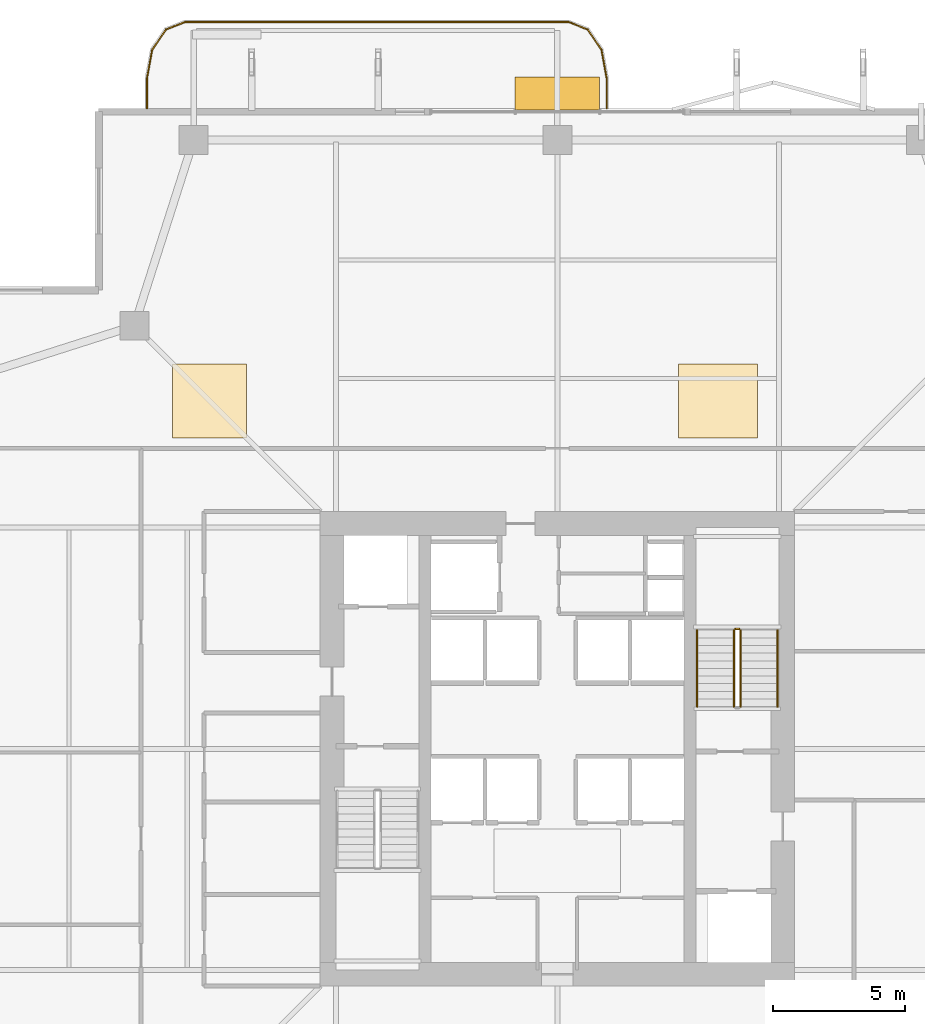
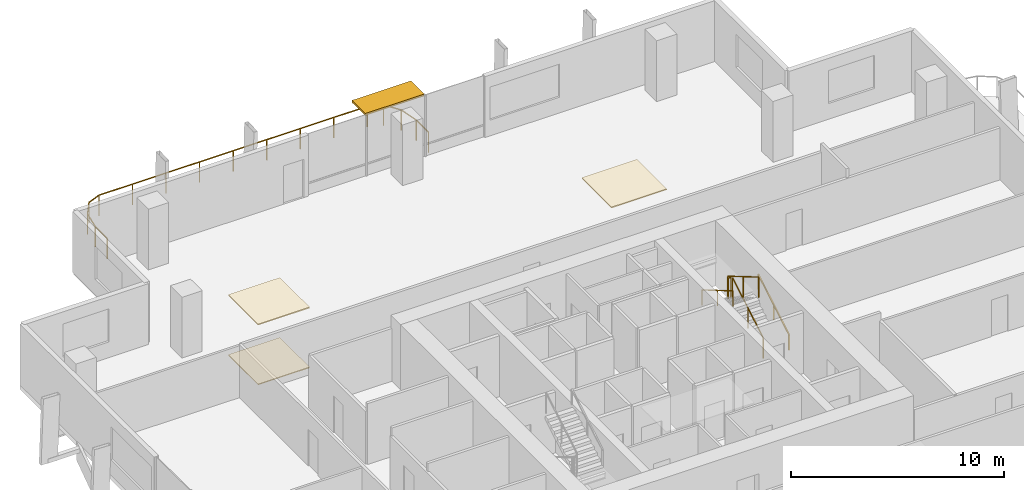
# One storey, part 24 of 25: 6 railings, 3 coverings, 1 shading device.
"""IFC4 building model written with IfcOpenShell, lengths in metres."""

import ifcopenshell
import ifcopenshell.guid

model = None  # the IFC model being written
_history = None  # IfcOwnerHistory: only IFC2X3 demands one
_inside = {}  # id of a spatial element -> (the spatial element, [elements in it])
_under = {}  # id of a project, library or spatial element -> (it, [spatial elements below it])
_declared = {}  # id of a project -> (the project, [libraries it declares])
_typed = {}  # id of a type object -> (the type object, [elements of that type])
_made_of = {}  # id of a material, layer set ... -> (it, [elements and type objects made of it])


def new_model(schema):
    """Start an empty IFC model of exactly this schema.

    Asked for "IFC4X3", IfcOpenShell would pick the latest addendum, in which some entities
    have other attributes; the version numbers below select the first issue.
    IFC2X3 requires an IfcOwnerHistory on every rooted entity: one is made here for all.
    """
    global model, _history
    if schema == "IFC4X3":
        model = ifcopenshell.file(schema_version=(4, 3, 0, 0))
    else:
        model = ifcopenshell.file(schema=schema)
    _inside.clear()
    _under.clear()
    _declared.clear()
    _typed.clear()
    _made_of.clear()
    _history = None
    if model.schema == "IFC2X3":
        org = make("IfcOrganization", Name="unknown")
        user = make(
            "IfcPersonAndOrganization",
            ThePerson=make("IfcPerson", FamilyName="unknown"),
            TheOrganization=org,
        )
        app = make(
            "IfcApplication",
            ApplicationDeveloper=org,
            Version="unknown",
            ApplicationFullName="unknown",
            ApplicationIdentifier="unknown",
        )
        _history = make(
            "IfcOwnerHistory",
            OwningUser=user,
            OwningApplication=app,
            ChangeAction="ADDED",
            CreationDate=0,
        )
    return model


def make(cls, **values):
    """One entity of the class cls with the attributes given. An attribute that is None is left unset."""
    return model.create_entity(
        cls, **{name: value for name, value in values.items() if value is not None}
    )


def rooted(cls, **values):
    """An entity with a GlobalId (a new one), such as an element, a storey or a relation."""
    return make(cls, GlobalId=ifcopenshell.guid.new(), OwnerHistory=_history, **values)


def si_unit(unit_type, name, prefix=None):
    """IfcSIUnit, for example si_unit("LENGTHUNIT", "METRE", prefix="MILLI")."""
    return make("IfcSIUnit", UnitType=unit_type, Prefix=prefix, Name=name)


def assignment(units):
    """IfcUnitAssignment: the units of a project."""
    return None if units is None else make("IfcUnitAssignment", Units=units)


def point(xyz):
    """IfcCartesianPoint."""
    return None if xyz is None else make("IfcCartesianPoint", Coordinates=xyz)


def direction(xyz):
    """IfcDirection."""
    return None if xyz is None else make("IfcDirection", DirectionRatios=xyz)


def frame(location, z_axis=None, x_axis=None):
    """IfcAxis2Placement3D, a coordinate frame: its origin and axes. An axis left out is left unset."""
    return make(
        "IfcAxis2Placement3D",
        Location=point(location),
        Axis=direction(z_axis),
        RefDirection=direction(x_axis),
    )


def frame_2d(location, x_axis=None):
    """IfcAxis2Placement2D, a coordinate frame in the plane: its origin and x axis."""
    return make(
        "IfcAxis2Placement2D", Location=point(location), RefDirection=direction(x_axis)
    )


def origin():
    """The frame at (0, 0, 0) with its axes left unset."""
    return frame((0.0, 0.0, 0.0))


def origin_2d():
    """The frame at (0, 0) in the plane with its x axis left unset."""
    return frame_2d((0.0, 0.0))


def place(relative_to, where):
    """IfcLocalPlacement: puts the frame where relative to a parent placement (None: the world)."""
    return make(
        "IfcLocalPlacement", PlacementRelTo=relative_to, RelativePlacement=where
    )


def context(
    kind, dimensions, precision=None, world=None, true_north=None, identifier=None
):
    """IfcGeometricRepresentationContext, for example the 3D "Model" context."""
    return make(
        "IfcGeometricRepresentationContext",
        ContextIdentifier=identifier,
        ContextType=kind,
        CoordinateSpaceDimension=dimensions,
        Precision=precision,
        WorldCoordinateSystem=world,
        TrueNorth=true_north,
    )


def subcontext(parent, identifier, kind, view, scale=None):
    """IfcGeometricRepresentationSubContext, for example "Body" below "Model"."""
    return make(
        "IfcGeometricRepresentationSubContext",
        ContextIdentifier=identifier,
        ContextType=kind,
        ParentContext=parent,
        TargetScale=scale,
        TargetView=view,
    )


def project(units=None, contexts=None):
    """IfcProject with its units and contexts."""
    return rooted(
        "IfcProject",
        Name="project",
        RepresentationContexts=contexts,
        UnitsInContext=assignment(units),
    )


def spatial(cls, under=None, at=None, **own):
    """A site, building, storey or space (cls), placed at a placement, below another one or the project."""
    s = rooted(cls, ObjectPlacement=at, **own)
    if under is not None:
        _under.setdefault(under.id(), (under, []))[1].append(s)
    return s


def polyline(points):
    """IfcPolyline through the points."""
    return make("IfcPolyline", Points=[point(p) for p in points])


def profile(cls, at=None, kind="AREA", **sizes):
    """A parametric profile (cls). Its sizes go by their IFC names, for example OverallWidth=200.0."""
    return make(cls, ProfileType=kind, Position=at, **sizes)


def rectangle(**sizes):
    """IfcRectangleProfileDef."""
    return profile("IfcRectangleProfileDef", **sizes)


def outline(outer, holes=None, kind="AREA"):
    """IfcArbitraryClosedProfileDef: a profile drawn as a closed curve; with holes, ...WithVoids."""
    if holes is None:
        return make("IfcArbitraryClosedProfileDef", ProfileType=kind, OuterCurve=outer)
    return make(
        "IfcArbitraryProfileDefWithVoids",
        ProfileType=kind,
        OuterCurve=outer,
        InnerCurves=holes,
    )


def extrude(swept, where, along, depth):
    """IfcExtrudedAreaSolid: the profile swept, set in the frame where, extruded along a direction by depth."""
    return make(
        "IfcExtrudedAreaSolid",
        SweptArea=swept,
        Position=where,
        ExtrudedDirection=direction(along),
        Depth=depth,
    )


def shape(context_of_items, identifier, shape_type, items):
    """IfcShapeRepresentation: the items that make up one representation, for example the "Body"."""
    return make(
        "IfcShapeRepresentation",
        ContextOfItems=context_of_items,
        RepresentationIdentifier=identifier,
        RepresentationType=shape_type,
        Items=items,
    )


def material(Name=None, Category=None):
    """IfcMaterial."""
    return make("IfcMaterial", Name=Name, Category=Category)


def layer(
    of_material, thickness, ventilated=None, Name=None, Category=None, Priority=None
):
    """IfcMaterialLayer: one layer of a wall or slab, of a material (None: an air gap)."""
    return make(
        "IfcMaterialLayer",
        Material=of_material,
        LayerThickness=thickness,
        IsVentilated=ventilated,
        Name=Name,
        Category=Category,
        Priority=Priority,
    )


def layer_set(layers, Name=None):
    """IfcMaterialLayerSet."""
    return make("IfcMaterialLayerSet", MaterialLayers=layers, LayerSetName=Name)


def made_of(thing, what):
    """Note that an element or type object is made of a material, layer set ...; save() writes the relation."""
    if what is not None:
        _made_of.setdefault(what.id(), (what, []))[1].append(thing)
    return thing


def type_object(cls, material=None, **own):
    """A type object (cls), such as IfcWallType, which elements share."""
    return made_of(rooted(cls, **own), material)


def element(
    cls,
    number,
    at=None,
    inside=None,
    cuts=None,
    type_object=None,
    material=None,
    context=None,
    identifier="Body",
    shape_type=None,
    held_by="IfcProductDefinitionShape",
    body=None,
    shapes=None,
    **own,
):
    """One element of the class cls, such as IfcWall. Its Tag is "e" and its number.

    at: its placement. inside: the storey or other place that contains it. cuts: it is an
    opening in that element (IfcRelVoidsElement). A single representation is given by context,
    identifier, shape_type and body (its items); several are given by shapes. held_by: the class
    of the entity that holds the representations. save() writes the other relations.
    """
    e = rooted(cls, Tag="e%d" % number, ObjectPlacement=at, **own)
    if body is not None:
        shapes = [shape(context, identifier, shape_type, body)]
    if shapes is not None:
        e.Representation = make(held_by, Representations=shapes)
    if inside is not None:
        _inside.setdefault(inside.id(), (inside, []))[1].append(e)
    if cuts is not None:
        rooted(
            "IfcRelVoidsElement", RelatingBuildingElement=cuts, RelatedOpeningElement=e
        )
    if type_object is not None:
        _typed.setdefault(type_object.id(), (type_object, []))[1].append(e)
    return made_of(e, material)


def aggregate(whole, parts):
    """IfcRelAggregates: a whole, such as a stair, and the parts it consists of."""
    return rooted("IfcRelAggregates", RelatingObject=whole, RelatedObjects=parts)


def save(model, path):
    """Write the relations noted so far, then the file.

    IfcRelAggregates (storeys below a building ...), IfcRelContainedInSpatialStructure (elements
    in a storey), IfcRelDefinesByType, IfcRelAssociatesMaterial and IfcRelDeclares: one each for
    every whole, place, type object, material and project.
    """
    for whole, parts in _under.values():
        aggregate(whole, parts)
    for where, things in _inside.values():
        rooted(
            "IfcRelContainedInSpatialStructure",
            RelatedElements=things,
            RelatingStructure=where,
        )
    for kind, things in _typed.values():
        rooted("IfcRelDefinesByType", RelatedObjects=things, RelatingType=kind)
    for what, things in _made_of.values():
        rooted("IfcRelAssociatesMaterial", RelatedObjects=things, RelatingMaterial=what)
    for by, libraries in _declared.values():
        rooted("IfcRelDeclares", RelatingContext=by, RelatedDefinitions=libraries)
    model.write(path)


model = new_model("IFC4")

# Units and contexts
model_context = context("Model", 3, precision=1e-05, world=origin(), true_north=direction((0.0, 1.0)))
body_context = subcontext(model_context, "Body", "Model", "MODEL_VIEW")
ifc_project = project(units=[si_unit("LENGTHUNIT", "METRE"), si_unit("AREAUNIT", "SQUARE_METRE"), si_unit("VOLUMEUNIT", "CUBIC_METRE"), si_unit("PLANEANGLEUNIT", "RADIAN"), si_unit("MASSUNIT", "GRAM", prefix="KILO")], contexts=[model_context])

# Site, building, storey
site_placement = place(None, origin())
site = spatial("IfcSite", under=ifc_project, at=site_placement, CompositionType="ELEMENT")
building_placement = place(site_placement, origin())
building = spatial("IfcBuilding", under=site, at=building_placement, Name="Belovzor Exchange Tower", CompositionType="ELEMENT")
storey_placement = place(building_placement, frame((0.0, 0.0, 142.050048828125)))
storey = spatial("IfcBuildingStorey", under=building, at=storey_placement, Name="L34", CompositionType="ELEMENT", Elevation=142.050048828125)

# Railings
ifc_material_1 = material(Name="Stainless Steel Grade 304", Category="steel")
railing_type_1 = type_object("IfcRailingType", Name="Brushed Stainless Steel Stair Handrail 900", PredefinedType="HANDRAIL", material=ifc_material_1)
railing_1_placement = place(storey_placement, frame((37.14990234375, 30.39990234375, 0.17041015625)))
element("IfcRailing", 1, at=railing_1_placement, inside=storey, type_object=railing_type_1, Name="L34 ST-2 stair handrail 1", PredefinedType="HANDRAIL", context=body_context, shape_type="SweptSolid", body=[
    extrude(rectangle(XDim=0.048095703125, YDim=0.048095703125, at=origin_2d()), frame((0.0, 0.0, 0.8759765625), z_axis=(0.0, 0.862113265706, 0.506715617574), x_axis=(-1.0, 0.0, 0.0)), (0.0, 0.0, 1.0), 3.364013671875),
    extrude(rectangle(XDim=0.0419921875, YDim=0.0419921875, at=origin_2d()), origin(), (0.0, 0.0, 1.0), 0.851806640625),
    extrude(rectangle(XDim=0.0419921875, YDim=0.0419921875, at=origin_2d()), frame((0.0, 1.4501953125, 0.852294921875)), (0.0, 0.0, 1.0), 0.851806640625),
    extrude(rectangle(XDim=0.0419921875, YDim=0.0419921875, at=origin_2d()), frame((0.0, 2.900146484375, 1.70458984375)), (0.0, 0.0, 1.0), 0.851806640625),
])
railing_2_placement = place(storey_placement, frame((34.10009765625, 33.300048828125, 2.04541015625)))
element("IfcRailing", 2, at=railing_2_placement, inside=storey, type_object=railing_type_1, Name="L34 ST-2 stair handrail 2", PredefinedType="HANDRAIL", context=body_context, shape_type="SweptSolid", body=[
    extrude(rectangle(XDim=0.048095703125, YDim=0.048095703125, at=origin_2d()), frame((0.0, 0.0, 0.8759765625), z_axis=(0.0, -0.862113265706, 0.506715617574), x_axis=(1.0, 0.0, 0.0)), (0.0, 0.0, 1.0), 3.364013671875),
    extrude(rectangle(XDim=0.0419921875, YDim=0.0419921875, at=origin_2d()), origin(), (0.0, 0.0, 1.0), 0.851806640625),
    extrude(rectangle(XDim=0.0419921875, YDim=0.0419921875, at=origin_2d()), frame((0.0, -1.4501953125, 0.852294921875)), (0.0, 0.0, 1.0), 0.851806640625),
    extrude(rectangle(XDim=0.0419921875, YDim=0.0419921875, at=origin_2d()), frame((0.0, -2.900146484375, 1.70458984375)), (0.0, 0.0, 1.0), 0.851806640625),
])
ifc_material_2 = material(Name="Stainless Steel and Laminated Safety Glass", Category="steel")
railing_type_2 = type_object("IfcRailingType", Name="Laminated Glass & Stainless Steel Balcony Balustrade 1200", PredefinedType="BALUSTRADE", material=ifc_material_2)
railing_3_placement = place(storey_placement, frame((30.669921875, 53.110107421875, 0.0)))
element("IfcRailing", 3, at=railing_3_placement, inside=storey, type_object=railing_type_2, Name="GR-1 Balcony Balustrade L34 North", PredefinedType="BALUSTRADE", context=body_context, shape_type="SweptSolid", body=[
    extrude(rectangle(XDim=0.048095703125, YDim=0.048095703125, at=origin_2d()), frame((0.0, 0.0, 1.17578125), z_axis=(0.0, 1.0, 0.0), x_axis=(-1.0, 0.0, 0.0)), (0.0, 0.0, 1.0), 1.1328125),
    extrude(rectangle(XDim=0.048095703125, YDim=0.048095703125, at=origin_2d()), frame((0.0, 1.1328125, 1.17578125), z_axis=(-0.180083182347, 0.983651385113, 0.0), x_axis=(-0.983651385113, -0.180083182347, 0.0)), (0.0, 0.0, 1.0), 1.093994140625),
    extrude(rectangle(XDim=0.048095703125, YDim=0.048095703125, at=origin_2d()), frame((-0.197021484375, 2.208984375, 1.17578125), z_axis=(-0.562768145367, 0.826614792125, 0.0), x_axis=(-0.826614792125, -0.562768145367, 0.0)), (0.0, 0.0, 1.0), 0.9326171875),
    extrude(rectangle(XDim=0.048095703125, YDim=0.048095703125, at=origin_2d()), frame((-0.721923828125, 2.97998046875, 1.17578125), z_axis=(-0.930766990125, 0.365612923861, 0.0), x_axis=(-0.365612923861, -0.930766990125, 0.0)), (0.0, 0.0, 1.0), 0.765869140625),
    extrude(rectangle(XDim=0.048095703125, YDim=0.048095703125, at=origin_2d()), frame((-1.434814453125, 3.260009765625, 1.17578125), z_axis=(-1.0, 0.0, 0.0), x_axis=(0.0, -1.0, 0.0)), (0.0, 0.0, 1.0), 14.570068359375),
    extrude(rectangle(XDim=0.048095703125, YDim=0.048095703125, at=origin_2d()), frame((-16.0048828125, 3.260009765625, 1.17578125), z_axis=(-0.930809580156, -0.365504480807, 0.0), x_axis=(0.365504480807, -0.930809580156, 0.0)), (0.0, 0.0, 1.0), 0.76611328125),
    extrude(rectangle(XDim=0.048095703125, YDim=0.048095703125, at=origin_2d()), frame((-16.718017578125, 2.97998046875, 1.17578125), z_axis=(-0.562768145367, -0.826614792125, 0.0), x_axis=(0.826614792125, -0.562768145367, 0.0)), (0.0, 0.0, 1.0), 0.9326171875),
    extrude(rectangle(XDim=0.048095703125, YDim=0.048095703125, at=origin_2d()), frame((-17.242919921875, 2.208984375, 1.17578125), z_axis=(-0.180083182347, -0.983651385113, 0.0), x_axis=(0.983651385113, -0.180083182347, 0.0)), (0.0, 0.0, 1.0), 1.093994140625),
    extrude(rectangle(XDim=0.048095703125, YDim=0.048095703125, at=origin_2d()), frame((-17.43994140625, 1.1328125, 1.17578125), z_axis=(0.0, -1.0, 0.0), x_axis=(1.0, 0.0, 0.0)), (0.0, 0.0, 1.0), 1.1328125),
    extrude(rectangle(XDim=0.0419921875, YDim=0.0419921875, at=origin_2d()), origin(), (0.0, 0.0, 1.0), 1.15185546875),
    extrude(rectangle(XDim=0.0419921875, YDim=0.0419921875, at=origin_2d()), frame((0.0, 1.1328125, 0.0)), (0.0, 0.0, 1.0), 1.15185546875),
    extrude(rectangle(XDim=0.0419921875, YDim=0.0419921875, at=origin_2d()), frame((-0.197021484375, 2.208984375, 0.0)), (0.0, 0.0, 1.0), 1.15185546875),
    extrude(rectangle(XDim=0.0419921875, YDim=0.0419921875, at=origin_2d()), frame((-0.721923828125, 2.97998046875, 0.0)), (0.0, 0.0, 1.0), 1.15185546875),
    extrude(rectangle(XDim=0.0419921875, YDim=0.0419921875, at=origin_2d()), frame((-1.434814453125, 3.260009765625, 0.0)), (0.0, 0.0, 1.0), 1.15185546875),
    extrude(rectangle(XDim=0.0419921875, YDim=0.0419921875, at=origin_2d()), frame((-3.256103515625, 3.260009765625, 0.0)), (0.0, 0.0, 1.0), 1.15185546875),
    extrude(rectangle(XDim=0.0419921875, YDim=0.0419921875, at=origin_2d()), frame((-5.077392578125, 3.260009765625, 0.0)), (0.0, 0.0, 1.0), 1.15185546875),
    extrude(rectangle(XDim=0.0419921875, YDim=0.0419921875, at=origin_2d()), frame((-6.898681640625, 3.260009765625, 0.0)), (0.0, 0.0, 1.0), 1.15185546875),
    extrude(rectangle(XDim=0.0419921875, YDim=0.0419921875, at=origin_2d()), frame((-8.7197265625, 3.260009765625, 0.0)), (0.0, 0.0, 1.0), 1.15185546875),
    extrude(rectangle(XDim=0.0419921875, YDim=0.0419921875, at=origin_2d()), frame((-10.541015625, 3.260009765625, 0.0)), (0.0, 0.0, 1.0), 1.15185546875),
    extrude(rectangle(XDim=0.0419921875, YDim=0.0419921875, at=origin_2d()), frame((-12.3623046875, 3.260009765625, 0.0)), (0.0, 0.0, 1.0), 1.15185546875),
    extrude(rectangle(XDim=0.0419921875, YDim=0.0419921875, at=origin_2d()), frame((-14.18359375, 3.260009765625, 0.0)), (0.0, 0.0, 1.0), 1.15185546875),
    extrude(rectangle(XDim=0.0419921875, YDim=0.0419921875, at=origin_2d()), frame((-16.0048828125, 3.260009765625, 0.0)), (0.0, 0.0, 1.0), 1.15185546875),
    extrude(rectangle(XDim=0.0419921875, YDim=0.0419921875, at=origin_2d()), frame((-16.718017578125, 2.97998046875, 0.0)), (0.0, 0.0, 1.0), 1.15185546875),
    extrude(rectangle(XDim=0.0419921875, YDim=0.0419921875, at=origin_2d()), frame((-17.242919921875, 2.208984375, 0.0)), (0.0, 0.0, 1.0), 1.15185546875),
    extrude(rectangle(XDim=0.0419921875, YDim=0.0419921875, at=origin_2d()), frame((-17.43994140625, 1.1328125, 0.0)), (0.0, 0.0, 1.0), 1.15185546875),
    extrude(rectangle(XDim=0.0419921875, YDim=0.0419921875, at=origin_2d()), frame((-17.43994140625, 0.0, 0.0)), (0.0, 0.0, 1.0), 1.15185546875),
])
ifc_material_3 = material(Name="Steel S355", Category="steel")
railing_type_3 = type_object("IfcRailingType", Name="Painted Steel Stairwell Guardrail 1200", PredefinedType="GUARDRAIL", material=ifc_material_3)
railing_4_placement = place(storey_placement, frame((35.75, 30.39990234375, 0.17041015625)))
element("IfcRailing", 4, at=railing_4_placement, inside=storey, type_object=railing_type_3, Name="L34 ST-2 stair guard 1", PredefinedType="GUARDRAIL", context=body_context, shape_type="SweptSolid", body=[
    extrude(rectangle(XDim=0.048095703125, YDim=0.048095703125, at=origin_2d()), frame((0.0, 0.0, 1.17578125), z_axis=(0.0, 0.862113265706, 0.506715617574), x_axis=(-1.0, 0.0, 0.0)), (0.0, 0.0, 1.0), 3.364013671875),
    extrude(rectangle(XDim=0.0419921875, YDim=0.0419921875, at=origin_2d()), origin(), (0.0, 0.0, 1.0), 1.15185546875),
    extrude(rectangle(XDim=0.0419921875, YDim=0.0419921875, at=origin_2d()), frame((0.0, 1.4501953125, 0.852294921875)), (0.0, 0.0, 1.0), 1.15185546875),
    extrude(rectangle(XDim=0.0419921875, YDim=0.0419921875, at=origin_2d()), frame((0.0, 2.900146484375, 1.70458984375)), (0.0, 0.0, 1.0), 1.15185546875),
])
railing_5_placement = place(storey_placement, frame((35.699951171875, 33.35009765625, 1.875)))
element("IfcRailing", 5, at=railing_5_placement, inside=storey, type_object=railing_type_3, Name="L34 ST-2 stair guard 2", PredefinedType="GUARDRAIL", context=body_context, shape_type="SweptSolid", body=[
    extrude(rectangle(XDim=0.048095703125, YDim=0.048095703125, at=origin_2d()), frame((0.0, 0.0, 1.17578125), z_axis=(-1.0, 0.0, 0.0), x_axis=(0.0, -1.0, 0.0)), (0.0, 0.0, 1.0), 0.14990234375),
    extrude(rectangle(XDim=0.0419921875, YDim=0.0419921875, at=origin_2d()), origin(), (0.0, 0.0, 1.0), 1.15185546875),
    extrude(rectangle(XDim=0.0419921875, YDim=0.0419921875, at=origin_2d()), frame((-0.14990234375, 0.0, 0.0)), (0.0, 0.0, 1.0), 1.15185546875),
])
railing_6_placement = place(storey_placement, frame((35.5, 33.300048828125, 2.04541015625)))
element("IfcRailing", 6, at=railing_6_placement, inside=storey, type_object=railing_type_3, Name="L34 ST-2 stair guard 3", PredefinedType="GUARDRAIL", context=body_context, shape_type="SweptSolid", body=[
    extrude(rectangle(XDim=0.048095703125, YDim=0.048095703125, at=origin_2d()), frame((0.0, 0.0, 1.17578125), z_axis=(0.0, -0.862113265706, 0.506715617574), x_axis=(1.0, 0.0, 0.0)), (0.0, 0.0, 1.0), 3.364013671875),
    extrude(rectangle(XDim=0.0419921875, YDim=0.0419921875, at=origin_2d()), origin(), (0.0, 0.0, 1.0), 1.15185546875),
    extrude(rectangle(XDim=0.0419921875, YDim=0.0419921875, at=origin_2d()), frame((0.0, -1.4501953125, 0.852294921875)), (0.0, 0.0, 1.0), 1.15185546875),
    extrude(rectangle(XDim=0.0419921875, YDim=0.0419921875, at=origin_2d()), frame((0.0, -2.900146484375, 1.70458984375)), (0.0, 0.0, 1.0), 1.15185546875),
])

# Coverings
ifc_material_4 = material(Name="Perforated Powder-Coated Aluminium", Category="aluminium")
ifc_layer_1 = layer(ifc_material_4, 0.06005859375)
ifc_layer_set_1 = layer_set([ifc_layer_1], Name="Perforated Powder-Coated Aluminium")
covering_type_1 = type_object("IfcCoveringType", Name="Perforated Acoustic Metal Tile Suspended Ceiling 60", PredefinedType="CEILING", material=ifc_layer_set_1)
covering_1_placement = place(storey_placement, frame((0.0, 0.0, 3.43505859375)))
element("IfcCovering", 7, at=covering_1_placement, inside=storey, type_object=covering_type_1, Name="CLG-AC60 Suspended Ceiling CLG-L34-Z2", PredefinedType="CEILING", context=body_context, shape_type="SweptSolid", body=[
    extrude(outline(polyline([(33.39990234375, 40.60009765625), (36.39990234375, 40.60009765625), (36.39990234375, 43.39990234375), (33.39990234375, 43.39990234375), (33.39990234375, 40.60009765625)])), origin(), (0.0, 0.0, 1.0), 0.059814453125),
])
covering_2_placement = place(storey_placement, frame((0.0, 0.0, 3.43505859375)))
element("IfcCovering", 8, at=covering_2_placement, inside=storey, type_object=covering_type_1, Name="CLG-AC60 Suspended Ceiling CLG-L34-Z3", PredefinedType="CEILING", context=body_context, shape_type="SweptSolid", body=[
    extrude(outline(polyline([(14.199951171875, 40.60009765625), (17.0, 40.60009765625), (17.0, 43.39990234375), (14.199951171875, 43.39990234375), (14.199951171875, 40.60009765625)])), origin(), (0.0, 0.0, 1.0), 0.059814453125),
])
ifc_material_5 = material(Name="Polished Natural Granite Tile", Category="masonry")
ifc_layer_2 = layer(ifc_material_5, 0.050048828125)
ifc_layer_set_2 = layer_set([ifc_layer_2], Name="Polished Natural Granite Tile")
covering_type_2 = type_object("IfcCoveringType", Name="Polished Karelian Granite & Raised Access Floor Finish 50", PredefinedType="FLOORING", material=ifc_layer_set_2)
covering_3_placement = place(storey_placement, origin())
element("IfcCovering", 9, at=covering_3_placement, inside=storey, type_object=covering_type_2, Name="FLR-GR50 Floor Finish FLR-L34-Z3", PredefinedType="FLOORING", context=body_context, shape_type="SweptSolid", body=[
    extrude(outline(polyline([(14.199951171875, 40.60009765625), (17.0, 40.60009765625), (17.0, 43.39990234375), (14.199951171875, 43.39990234375), (14.199951171875, 40.60009765625)])), origin(), (0.0, 0.0, 1.0), 0.050048828125),
])

# Shading device
ifc_material_6 = material(Name="Extruded Architectural Terracotta", Category="masonry")
ifc_layer_3 = layer(ifc_material_6, 0.1201171875)
ifc_layer_set_3 = layer_set([ifc_layer_3], Name="Extruded Architectural Terracotta")
shading_device_type = type_object("IfcShadingDeviceType", Name="Streamline Terracotta Horizontal Sunshade Hood 1250", PredefinedType="AWNING", material=ifc_layer_set_3)
shading_device_placement = place(storey_placement, frame((28.800048828125, 53.6650390625, 3.375), z_axis=(0.0, 0.0, 1.0), x_axis=(1.0, 0.0, 0.0)))
element("IfcShadingDevice", 10, at=shading_device_placement, inside=storey, type_object=shading_device_type, Name="SHD-TC125 Terracotta Sunshade L34 N", PredefinedType="AWNING", context=body_context, shape_type="SweptSolid", body=[
    extrude(rectangle(XDim=3.199951171875, YDim=1.25, at=origin_2d()), origin(), (0.0, 0.0, 1.0), 0.1201171875),
])

save(model, "model.ifc")
